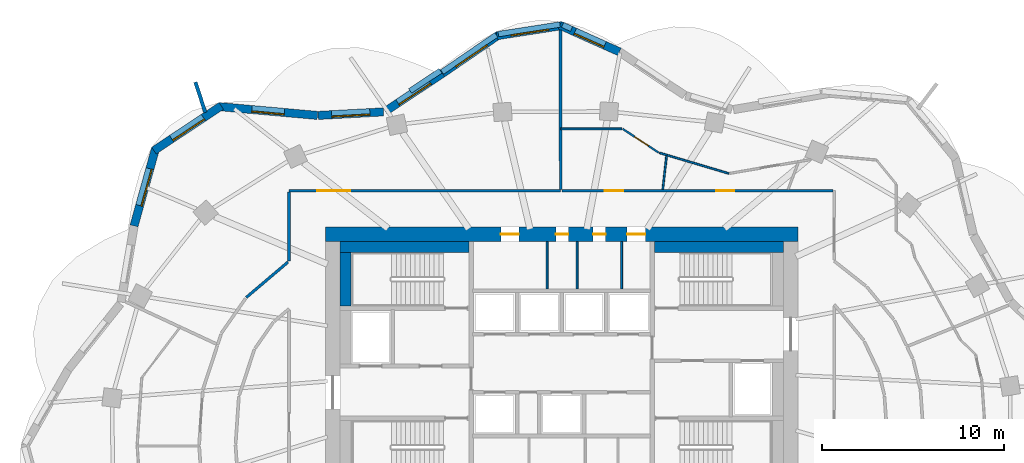
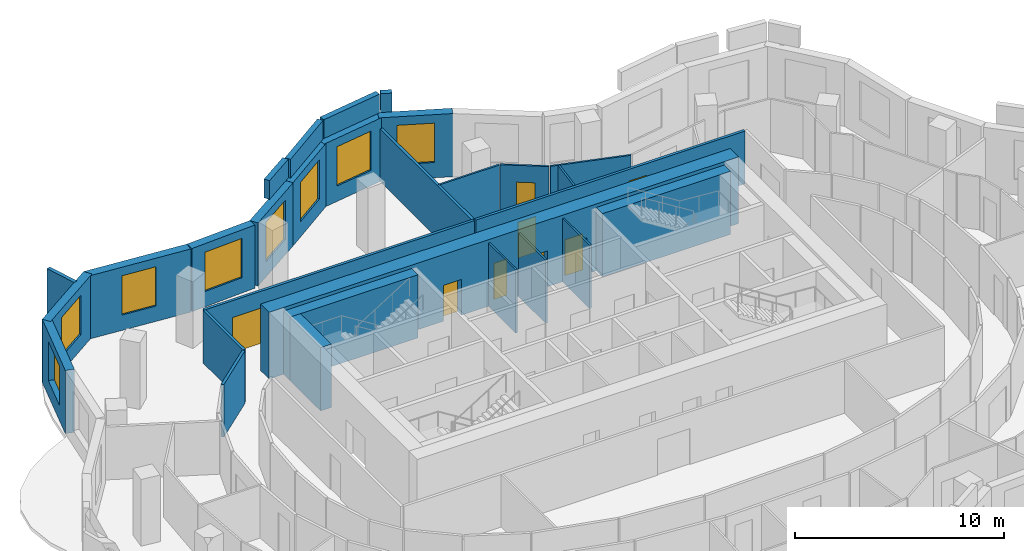
# One storey, part 8 of 11: 29 walls, 8 doors, 8 windows, 16 openings.
"""IFC4 building model written with IfcOpenShell, lengths in metres."""

from ifc_helpers import new_model, si_unit, direction, frame, frame_2d, origin, place, context, subcontext, project, spatial, rectangle, extrude, material, layer, layer_set, type_object, element, fill, save


model = new_model("IFC4")

# Units and contexts
model_context = context("Model", 3, precision=1e-05, world=origin(), true_north=direction((0.0, 1.0)))
body_context = subcontext(model_context, "Body", "Model", "MODEL_VIEW")
ifc_project = project(units=[si_unit("LENGTHUNIT", "METRE"), si_unit("AREAUNIT", "SQUARE_METRE"), si_unit("VOLUMEUNIT", "CUBIC_METRE"), si_unit("PLANEANGLEUNIT", "RADIAN"), si_unit("MASSUNIT", "GRAM", prefix="KILO")], contexts=[model_context])

# Site, building, storey
site_placement = place(None, origin())
site = spatial("IfcSite", under=ifc_project, at=site_placement, CompositionType="ELEMENT")
building_placement = place(site_placement, origin())
building = spatial("IfcBuilding", under=site, at=building_placement, Name="Rubra Terraces Tower", CompositionType="ELEMENT")
storey_placement = place(building_placement, frame((0.0, 0.0, 185.699951171875)))
storey = spatial("IfcBuildingStorey", under=building, at=storey_placement, Name="L45", CompositionType="ELEMENT", Elevation=185.699951171875)

# Wall, opening, window
ifc_material_1 = material(Name="Brick masonry red-brown", Category="masonry")
ifc_layer_1 = layer(ifc_material_1, 0.449951171875)
ifc_layer_set_1 = layer_set([ifc_layer_1], Name="Brick masonry red-brown")
wall_type_1 = type_object("IfcWallType", Name="Brick facade wall 450", PredefinedType="SOLIDWALL", material=ifc_layer_set_1)
wall_1_placement = place(storey_placement, frame((3.179443359375, 21.63623046875, 0.0), z_axis=(0.0, 0.0, 1.0), x_axis=(-0.912608353595, 0.40883492139, 0.0)))
wall_1 = element("IfcWall", 1, at=wall_1_placement, inside=storey, type_object=wall_type_1, Name="Facade wall L45 bay 10", PredefinedType="SOLIDWALL", context=body_context, shape_type="SweptSolid", body=[
    extrude(rectangle(XDim=3.584716796875, YDim=0.449951171875, at=frame_2d((1.79248046875, 0.0))), origin(), (0.0, 0.0, 1.0), 3.699951171875),
])
opening_1_placement = place(wall_1_placement, frame((0.892333984375, 0.0, 0.89990234375)))
opening_1 = element("IfcOpeningElement", 2, at=opening_1_placement, cuts=wall_1, Name="Opening W6B", PredefinedType="OPENING", context=body_context, shape_type="SweptSolid", body=[
    extrude(rectangle(XDim=1.800048828125, YDim=2.300048828125, at=frame_2d((0.89990234375, 1.14990234375))), frame((0.0, 0.23486328125, 0.0), z_axis=(0.0, -1.0, 0.0), x_axis=(1.0, 0.0, 0.0)), (0.0, 0.0, 1.0), 0.469970703125),
])
ifc_material_2 = material(Name="Clear glass in aluminium frame", Category="aluminium")
window_type_1 = type_object("IfcWindowType", Name="Fixed deep-set window at wind fin tall storey 1800 x 2300", PartitioningType="SINGLE_PANEL", PredefinedType="WINDOW", material=ifc_material_2)
window_1_placement = place(opening_1_placement, origin())
window_1 = element("IfcWindow", 3, at=window_1_placement, inside=storey, type_object=window_type_1, Name="Window L45 bay 10", OverallHeight=2.300048828125, OverallWidth=1.800048828125, PartitioningType="SINGLE_PANEL", PredefinedType="WINDOW", context=body_context, shape_type="SweptSolid", body=[
    extrude(rectangle(XDim=1.800048828125, YDim=2.300048828125, at=frame_2d((0.89990234375, 1.14990234375))), frame((0.0, 0.135009765625, 0.0), z_axis=(0.0, -1.0, 0.0), x_axis=(1.0, 0.0, 0.0)), (0.0, 0.0, 1.0), 0.06005859375),
])
fill(opening_1, window_1)

wall_2_placement = place(storey_placement, frame((0.03466796875, 23.084716796875, 0.0), z_axis=(0.0, 0.0, 1.0), x_axis=(-0.988133637562, -0.153596596054, 0.0)))
wall_2 = element("IfcWall", 4, at=wall_2_placement, inside=storey, type_object=wall_type_1, Name="Facade wall L45 bay 11", PredefinedType="SOLIDWALL", context=body_context, shape_type="SweptSolid", body=[
    extrude(rectangle(XDim=3.646240234375, YDim=0.449951171875, at=frame_2d((1.8232421875, 0.0))), origin(), (0.0, 0.0, 1.0), 3.699951171875),
])
opening_2_placement = place(wall_2_placement, frame((0.773193359375, 0.0, 0.89990234375)))
opening_2 = element("IfcOpeningElement", 5, at=opening_2_placement, cuts=wall_2, Name="Opening W1B", PredefinedType="OPENING", context=body_context, shape_type="SweptSolid", body=[
    extrude(rectangle(XDim=2.10009765625, YDim=2.300048828125, at=frame_2d((1.050048828125, 1.14990234375))), frame((0.0, 0.23486328125, 0.0), z_axis=(0.0, -1.0, 0.0), x_axis=(1.0, 0.0, 0.0)), (0.0, 0.0, 1.0), 0.469970703125),
])
window_type_2 = type_object("IfcWindowType", Name="Fixed deep-set window tall storey 2100 x 2300", PartitioningType="SINGLE_PANEL", PredefinedType="WINDOW", material=ifc_material_2)
window_2_placement = place(opening_2_placement, origin())
window_2 = element("IfcWindow", 6, at=window_2_placement, inside=storey, type_object=window_type_2, Name="Window L45 bay 11", OverallHeight=2.300048828125, OverallWidth=2.10009765625, PartitioningType="SINGLE_PANEL", PredefinedType="WINDOW", context=body_context, shape_type="SweptSolid", body=[
    extrude(rectangle(XDim=2.10009765625, YDim=2.300048828125, at=frame_2d((1.050048828125, 1.14990234375))), frame((0.0, 0.135009765625, 0.0), z_axis=(0.0, -1.0, 0.0), x_axis=(1.0, 0.0, 0.0)), (0.0, 0.0, 1.0), 0.06005859375),
])
fill(opening_2, window_2)

wall_3_placement = place(storey_placement, frame((-3.478515625, 22.559814453125, 0.0), z_axis=(0.0, 0.0, 1.0), x_axis=(-0.824722766417, -0.565537230033, 0.0)))
wall_3 = element("IfcWall", 7, at=wall_3_placement, inside=storey, type_object=wall_type_1, Name="Facade wall L45 bay 12", PredefinedType="SOLIDWALL", context=body_context, shape_type="SweptSolid", body=[
    extrude(rectangle(XDim=3.742431640625, YDim=0.449951171875, at=frame_2d((1.87109375, 0.0))), origin(), (0.0, 0.0, 1.0), 3.699951171875),
])
opening_3_placement = place(wall_3_placement, frame((0.8212890625, 0.0, 0.89990234375)))
opening_3 = element("IfcOpeningElement", 8, at=opening_3_placement, cuts=wall_3, Name="Opening W1B", PredefinedType="OPENING", context=body_context, shape_type="SweptSolid", body=[
    extrude(rectangle(XDim=2.10009765625, YDim=2.300048828125, at=frame_2d((1.050048828125, 1.14990234375))), frame((0.0, 0.23486328125, 0.0), z_axis=(0.0, -1.0, 0.0), x_axis=(1.0, 0.0, 0.0)), (0.0, 0.0, 1.0), 0.469970703125),
])
window_3_placement = place(opening_3_placement, origin())
window_3 = element("IfcWindow", 9, at=window_3_placement, inside=storey, type_object=window_type_2, Name="Window L45 bay 12", OverallHeight=2.300048828125, OverallWidth=2.10009765625, PartitioningType="SINGLE_PANEL", PredefinedType="WINDOW", context=body_context, shape_type="SweptSolid", body=[
    extrude(rectangle(XDim=2.10009765625, YDim=2.300048828125, at=frame_2d((1.050048828125, 1.14990234375))), frame((0.0, 0.135009765625, 0.0), z_axis=(0.0, -1.0, 0.0), x_axis=(1.0, 0.0, 0.0)), (0.0, 0.0, 1.0), 0.06005859375),
])
fill(opening_3, window_3)

wall_4_placement = place(storey_placement, frame((-6.568115234375, 20.44140625, 0.0), z_axis=(0.0, 0.0, 1.0), x_axis=(-0.834034214531, -0.551712723246, 0.0)))
wall_4 = element("IfcWall", 10, at=wall_4_placement, inside=storey, type_object=wall_type_1, Name="Facade wall L45 bay 13", PredefinedType="SOLIDWALL", context=body_context, shape_type="SweptSolid", body=[
    extrude(rectangle(XDim=3.75732421875, YDim=0.449951171875, at=frame_2d((1.878662109375, 0.0))), origin(), (0.0, 0.0, 1.0), 3.699951171875),
])
opening_4_placement = place(wall_4_placement, frame((0.82861328125, 0.0, 0.89990234375)))
opening_4 = element("IfcOpeningElement", 11, at=opening_4_placement, cuts=wall_4, Name="Opening W1B", PredefinedType="OPENING", context=body_context, shape_type="SweptSolid", body=[
    extrude(rectangle(XDim=2.10009765625, YDim=2.300048828125, at=frame_2d((1.050048828125, 1.14990234375))), frame((0.0, 0.23486328125, 0.0), z_axis=(0.0, -1.0, 0.0), x_axis=(1.0, 0.0, 0.0)), (0.0, 0.0, 1.0), 0.469970703125),
])
window_4_placement = place(opening_4_placement, origin())
window_4 = element("IfcWindow", 12, at=window_4_placement, inside=storey, type_object=window_type_2, Name="Window L45 bay 13", OverallHeight=2.300048828125, OverallWidth=2.10009765625, PartitioningType="SINGLE_PANEL", PredefinedType="WINDOW", context=body_context, shape_type="SweptSolid", body=[
    extrude(rectangle(XDim=2.10009765625, YDim=2.300048828125, at=frame_2d((1.050048828125, 1.14990234375))), frame((0.0, 0.135009765625, 0.0), z_axis=(0.0, -1.0, 0.0), x_axis=(1.0, 0.0, 0.0)), (0.0, 0.0, 1.0), 0.06005859375),
])
fill(opening_4, window_4)

wall_5_placement = place(storey_placement, frame((-9.80322265625, 18.333740234375, 0.0), z_axis=(0.0, 0.0, 1.0), x_axis=(-0.998525941495, -0.054276552602, 0.0)))
wall_5 = element("IfcWall", 13, at=wall_5_placement, inside=storey, type_object=wall_type_1, Name="Facade wall L45 bay 14", PredefinedType="SOLIDWALL", context=body_context, shape_type="SweptSolid", body=[
    extrude(rectangle(XDim=3.60302734375, YDim=0.449951171875, at=frame_2d((1.801513671875, 0.0))), origin(), (0.0, 0.0, 1.0), 3.699951171875),
])
opening_5_placement = place(wall_5_placement, frame((0.75146484375, 0.0, 0.89990234375)))
opening_5 = element("IfcOpeningElement", 14, at=opening_5_placement, cuts=wall_5, Name="Opening W1B", PredefinedType="OPENING", context=body_context, shape_type="SweptSolid", body=[
    extrude(rectangle(XDim=2.10009765625, YDim=2.300048828125, at=frame_2d((1.050048828125, 1.14990234375))), frame((0.0, 0.23486328125, 0.0), z_axis=(0.0, -1.0, 0.0), x_axis=(1.0, 0.0, 0.0)), (0.0, 0.0, 1.0), 0.469970703125),
])
window_5_placement = place(opening_5_placement, origin())
window_5 = element("IfcWindow", 15, at=window_5_placement, inside=storey, type_object=window_type_2, Name="Window L45 bay 14", OverallHeight=2.300048828125, OverallWidth=2.10009765625, PartitioningType="SINGLE_PANEL", PredefinedType="WINDOW", context=body_context, shape_type="SweptSolid", body=[
    extrude(rectangle(XDim=2.10009765625, YDim=2.300048828125, at=frame_2d((1.050048828125, 1.14990234375))), frame((0.0, 0.135009765625, 0.0), z_axis=(0.0, -1.0, 0.0), x_axis=(1.0, 0.0, 0.0)), (0.0, 0.0, 1.0), 0.06005859375),
])
fill(opening_5, window_5)

wall_6_placement = place(storey_placement, frame((-13.435791015625, 18.1376953125, 0.0), z_axis=(0.0, 0.0, 1.0), x_axis=(-0.99598810213, 0.089485755376, 0.0)))
wall_6 = element("IfcWall", 16, at=wall_6_placement, inside=storey, type_object=wall_type_1, Name="Facade wall L45 bay 15", PredefinedType="SOLIDWALL", context=body_context, shape_type="SweptSolid", body=[
    extrude(rectangle(XDim=5.451171875, YDim=0.449951171875, at=frame_2d((2.7255859375, 0.0))), origin(), (0.0, 0.0, 1.0), 3.699951171875),
])
opening_6_placement = place(wall_6_placement, frame((1.825439453125, 0.0, 0.89990234375)))
opening_6 = element("IfcOpeningElement", 17, at=opening_6_placement, cuts=wall_6, Name="Opening W6B", PredefinedType="OPENING", context=body_context, shape_type="SweptSolid", body=[
    extrude(rectangle(XDim=1.800048828125, YDim=2.300048828125, at=frame_2d((0.89990234375, 1.14990234375))), frame((0.0, 0.23486328125, 0.0), z_axis=(0.0, -1.0, 0.0), x_axis=(1.0, 0.0, 0.0)), (0.0, 0.0, 1.0), 0.469970703125),
])
window_6_placement = place(opening_6_placement, origin())
window_6 = element("IfcWindow", 18, at=window_6_placement, inside=storey, type_object=window_type_1, Name="Window L45 bay 15", OverallHeight=2.300048828125, OverallWidth=1.800048828125, PartitioningType="SINGLE_PANEL", PredefinedType="WINDOW", context=body_context, shape_type="SweptSolid", body=[
    extrude(rectangle(XDim=1.800048828125, YDim=2.300048828125, at=frame_2d((0.89990234375, 1.14990234375))), frame((0.0, 0.135009765625, 0.0), z_axis=(0.0, -1.0, 0.0), x_axis=(1.0, 0.0, 0.0)), (0.0, 0.0, 1.0), 0.06005859375),
])
fill(opening_6, window_6)

wall_7_placement = place(storey_placement, frame((-18.7255859375, 18.66259765625, 0.0), z_axis=(0.0, 0.0, 1.0), x_axis=(-0.83333921474, -0.552761931736, 0.0)))
wall_7 = element("IfcWall", 19, at=wall_7_placement, inside=storey, type_object=wall_type_1, Name="Facade wall L45 bay 16", PredefinedType="SOLIDWALL", context=body_context, shape_type="SweptSolid", body=[
    extrude(rectangle(XDim=4.45068359375, YDim=0.449951171875, at=frame_2d((2.225341796875, 0.0))), origin(), (0.0, 0.0, 1.0), 3.699951171875),
])
opening_7_placement = place(wall_7_placement, frame((1.17529296875, 0.0, 0.89990234375)))
opening_7 = element("IfcOpeningElement", 20, at=opening_7_placement, cuts=wall_7, Name="Opening W1B", PredefinedType="OPENING", context=body_context, shape_type="SweptSolid", body=[
    extrude(rectangle(XDim=2.10009765625, YDim=2.300048828125, at=frame_2d((1.050048828125, 1.14990234375))), frame((0.0, 0.23486328125, 0.0), z_axis=(0.0, -1.0, 0.0), x_axis=(1.0, 0.0, 0.0)), (0.0, 0.0, 1.0), 0.469970703125),
])
window_7_placement = place(opening_7_placement, origin())
window_7 = element("IfcWindow", 21, at=window_7_placement, inside=storey, type_object=window_type_2, Name="Window L45 bay 16", OverallHeight=2.300048828125, OverallWidth=2.10009765625, PartitioningType="SINGLE_PANEL", PredefinedType="WINDOW", context=body_context, shape_type="SweptSolid", body=[
    extrude(rectangle(XDim=2.10009765625, YDim=2.300048828125, at=frame_2d((1.050048828125, 1.14990234375))), frame((0.0, 0.135009765625, 0.0), z_axis=(0.0, -1.0, 0.0), x_axis=(1.0, 0.0, 0.0)), (0.0, 0.0, 1.0), 0.06005859375),
])
fill(opening_7, window_7)

wall_8_placement = place(storey_placement, frame((-22.343505859375, 16.32568359375, 0.0), z_axis=(0.0, 0.0, 1.0), x_axis=(-0.267925456304, -0.963439645159, 0.0)))
wall_8 = element("IfcWall", 22, at=wall_8_placement, inside=storey, type_object=wall_type_1, Name="Facade wall L45 bay 17", PredefinedType="SOLIDWALL", context=body_context, shape_type="SweptSolid", body=[
    extrude(rectangle(XDim=4.4267578125, YDim=0.449951171875, at=frame_2d((2.21337890625, 0.0))), origin(), (0.0, 0.0, 1.0), 3.699951171875),
])
opening_8_placement = place(wall_8_placement, frame((1.16357421875, 0.0, 0.89990234375)))
opening_8 = element("IfcOpeningElement", 23, at=opening_8_placement, cuts=wall_8, Name="Opening W1B", PredefinedType="OPENING", context=body_context, shape_type="SweptSolid", body=[
    extrude(rectangle(XDim=2.10009765625, YDim=2.300048828125, at=frame_2d((1.050048828125, 1.14990234375))), frame((0.0, 0.23486328125, 0.0), z_axis=(0.0, -1.0, 0.0), x_axis=(1.0, 0.0, 0.0)), (0.0, 0.0, 1.0), 0.469970703125),
])
window_8_placement = place(opening_8_placement, origin())
window_8 = element("IfcWindow", 24, at=window_8_placement, inside=storey, type_object=window_type_2, Name="Window L45 bay 17", OverallHeight=2.300048828125, OverallWidth=2.10009765625, PartitioningType="SINGLE_PANEL", PredefinedType="WINDOW", context=body_context, shape_type="SweptSolid", body=[
    extrude(rectangle(XDim=2.10009765625, YDim=2.300048828125, at=frame_2d((1.050048828125, 1.14990234375))), frame((0.0, 0.135009765625, 0.0), z_axis=(0.0, -1.0, 0.0), x_axis=(1.0, 0.0, 0.0)), (0.0, 0.0, 1.0), 0.06005859375),
])
fill(opening_8, window_8)

# Walls
ifc_layer_2 = layer(ifc_material_1, 0.300048828125)
ifc_layer_set_2 = layer_set([ifc_layer_2], Name="Brick masonry red-brown")
wall_type_2 = type_object("IfcWallType", Name="Brick parapet 300", PredefinedType="PARAPET", material=ifc_layer_set_2)
wall_9_placement = place(storey_placement, frame((0.54541015625, 22.898193359375, 3.900146484375), z_axis=(0.0, 0.0, 1.0), x_axis=(-0.912497815069, 0.409081578044, 0.0)))
element("IfcWall", 25, at=wall_9_placement, inside=storey, type_object=wall_type_2, Name="Parapet L45 bay 10", PredefinedType="PARAPET", context=body_context, shape_type="SweptSolid", body=[
    extrude(rectangle(XDim=0.546142578125, YDim=0.300048828125, at=frame_2d((0.27294921875, 0.0))), origin(), (0.0, 0.0, 1.0), 1.099853515625),
])
wall_10_placement = place(storey_placement, frame((-0.09423828125, 23.140380859375, 3.900146484375), z_axis=(0.0, 0.0, 1.0), x_axis=(-0.988150084887, -0.153490748056, 0.0)))
element("IfcWall", 26, at=wall_10_placement, inside=storey, type_object=wall_type_2, Name="Parapet L45 bay 11", PredefinedType="PARAPET", context=body_context, shape_type="SweptSolid", body=[
    extrude(rectangle(XDim=3.42919921875, YDim=0.300048828125, at=frame_2d((1.714599609375, 0.0))), origin(), (0.0, 0.0, 1.0), 1.099853515625),
])
wall_11_placement = place(storey_placement, frame((-3.59912109375, 22.56787109375, 3.900146484375), z_axis=(0.0, 0.0, 1.0), x_axis=(-0.82476034254, -0.565482428881, 0.0)))
element("IfcWall", 27, at=wall_11_placement, inside=storey, type_object=wall_type_2, Name="Parapet L45 bay 12", PredefinedType="PARAPET", context=body_context, shape_type="SweptSolid", body=[
    extrude(rectangle(XDim=3.61572265625, YDim=0.300048828125, at=frame_2d((1.807861328125, 0.0))), origin(), (0.0, 0.0, 1.0), 1.099853515625),
])
wall_12_placement = place(storey_placement, frame((-6.665283203125, 20.593017578125, 3.900146484375), z_axis=(0.0, 0.0, 1.0), x_axis=(-0.834027642059, -0.551722658843, 0.0)))
element("IfcWall", 28, at=wall_12_placement, inside=storey, type_object=wall_type_2, Name="Parapet L45 bay 13", PredefinedType="PARAPET", context=body_context, shape_type="SweptSolid", body=[
    extrude(rectangle(XDim=2.008056640625, YDim=0.300048828125, at=frame_2d((1.00390625, 0.0))), origin(), (0.0, 0.0, 1.0), 1.099853515625),
])
ifc_layer_3 = layer(ifc_material_1, 0.199951171875)
ifc_layer_set_3 = layer_set([ifc_layer_3], Name="Brick masonry red-brown")
wall_type_3 = type_object("IfcWallType", Name="Brick wind fin 200", PredefinedType="SOLIDWALL", material=ifc_layer_set_3)
wall_13_placement = place(storey_placement, frame((-19.60888671875, 18.304931640625, 0.0), z_axis=(0.0, 0.0, 1.0), x_axis=(-0.308600224758, 0.951191832008, 0.0)))
element("IfcWall", 29, at=wall_13_placement, inside=storey, type_object=wall_type_3, Name="Wind fin L45 10", PredefinedType="SOLIDWALL", context=body_context, shape_type="SweptSolid", body=[
    extrude(rectangle(XDim=1.75, YDim=0.199951171875, at=frame_2d((0.875, 0.0))), origin(), (0.0, 0.0, 1.0), 3.699951171875),
])

# Wall, openings, doors
ifc_material_3 = material(Name="Concrete C50", Category="concrete")
ifc_layer_4 = layer(ifc_material_3, 0.800048828125)
ifc_layer_set_4 = layer_set([ifc_layer_4], Name="Concrete C50")
wall_type_4 = type_object("IfcWallType", Name="CORE WALL 800 C50", PredefinedType="SHEAR", material=ifc_layer_set_4)
wall_14_placement = place(storey_placement, frame((-13.0, 11.60009765625, 0.0), z_axis=(0.0, 0.0, 1.0), x_axis=(1.0, 0.0, 0.0)))
wall_14 = element("IfcWall", 30, at=wall_14_placement, inside=storey, type_object=wall_type_4, Name="CORE WALL N L45", PredefinedType="SHEAR", context=body_context, shape_type="SweptSolid", body=[
    extrude(rectangle(XDim=26.0, YDim=0.800048828125, at=frame_2d((13.0, 0.0))), origin(), (0.0, 0.0, 1.0), 3.900146484375),
])
opening_9_placement = place(wall_14_placement, frame((9.64990234375, 0.0, 0.0)))
opening_9 = element("IfcOpeningElement", 31, at=opening_9_placement, cuts=wall_14, Name="Opening L45.C25", PredefinedType="OPENING", context=body_context, shape_type="SweptSolid", body=[
    extrude(rectangle(XDim=1.0, YDim=2.10009765625, at=frame_2d((0.5, 1.050048828125))), frame((0.0, 0.409912109375, 0.0), z_axis=(0.0, -1.0, 0.0), x_axis=(1.0, 0.0, 0.0)), (0.0, 0.0, 1.0), 0.820068359375),
])
opening_10_placement = place(wall_14_placement, frame((12.675048828125, 0.0, 0.0)))
opening_10 = element("IfcOpeningElement", 32, at=opening_10_placement, cuts=wall_14, Name="Opening L45.C26", PredefinedType="OPENING", context=body_context, shape_type="SweptSolid", body=[
    extrude(rectangle(XDim=0.699951171875, YDim=2.10009765625, at=frame_2d((0.35009765625, 1.050048828125))), frame((0.0, 0.409912109375, 0.0), z_axis=(0.0, -1.0, 0.0), x_axis=(1.0, 0.0, 0.0)), (0.0, 0.0, 1.0), 0.820068359375),
])
opening_11_placement = place(wall_14_placement, frame((14.72509765625, 0.0, 0.0)))
opening_11 = element("IfcOpeningElement", 33, at=opening_11_placement, cuts=wall_14, Name="Opening L45.C27", PredefinedType="OPENING", context=body_context, shape_type="SweptSolid", body=[
    extrude(rectangle(XDim=0.699951171875, YDim=2.10009765625, at=frame_2d((0.35009765625, 1.050048828125))), frame((0.0, 0.409912109375, 0.0), z_axis=(0.0, -1.0, 0.0), x_axis=(1.0, 0.0, 0.0)), (0.0, 0.0, 1.0), 0.820068359375),
])
opening_12_placement = place(wall_14_placement, frame((16.60009765625, 0.0, 0.0)))
opening_12 = element("IfcOpeningElement", 34, at=opening_12_placement, cuts=wall_14, Name="Opening L45.C28", PredefinedType="OPENING", context=body_context, shape_type="SweptSolid", body=[
    extrude(rectangle(XDim=1.0, YDim=2.10009765625, at=frame_2d((0.5, 1.050048828125))), frame((0.0, 0.409912109375, 0.0), z_axis=(0.0, -1.0, 0.0), x_axis=(1.0, 0.0, 0.0)), (0.0, 0.0, 1.0), 0.820068359375),
])
ifc_material_4 = material(Name="Painted steel", Category="steel")
door_type_1 = type_object("IfcDoorType", Name="Fire door 1000x2100 single", OperationType="NOTDEFINED", PredefinedType="DOOR", material=ifc_material_4)
door_1_placement = place(opening_9_placement, origin())
door_1 = element("IfcDoor", 35, at=door_1_placement, inside=storey, type_object=door_type_1, Name="Tea point door", OperationType="SINGLE_SWING_LEFT", OverallHeight=2.10009765625, OverallWidth=1.0, PredefinedType="DOOR", context=body_context, shape_type="SweptSolid", body=[
    extrude(rectangle(XDim=1.0, YDim=2.10009765625, at=frame_2d((0.5, 1.050048828125))), frame((0.0, 0.02490234375, 0.0), z_axis=(0.0, -1.0, 0.0), x_axis=(1.0, 0.0, 0.0)), (0.0, 0.0, 1.0), 0.050048828125),
])
fill(opening_9, door_1)
door_2_placement = place(opening_12_placement, origin())
door_2 = element("IfcDoor", 36, at=door_2_placement, inside=storey, type_object=door_type_1, Name="General store door", OperationType="SINGLE_SWING_RIGHT", OverallHeight=2.10009765625, OverallWidth=1.0, PredefinedType="DOOR", context=body_context, shape_type="SweptSolid", body=[
    extrude(rectangle(XDim=1.0, YDim=2.10009765625, at=frame_2d((0.5, 1.050048828125))), frame((0.0, 0.02490234375, 0.0), z_axis=(0.0, -1.0, 0.0), x_axis=(1.0, 0.0, 0.0)), (0.0, 0.0, 1.0), 0.050048828125),
])
fill(opening_12, door_2)
door_type_2 = type_object("IfcDoorType", Name="Riser access door 700x2100 single", OperationType="NOTDEFINED", PredefinedType="DOOR", material=ifc_material_4)
door_3_placement = place(opening_10_placement, origin())
door_3 = element("IfcDoor", 37, at=door_3_placement, inside=storey, type_object=door_type_2, Name="Electrical riser room door", OperationType="SINGLE_SWING_RIGHT", OverallHeight=2.10009765625, OverallWidth=0.699951171875, PredefinedType="DOOR", context=body_context, shape_type="SweptSolid", body=[
    extrude(rectangle(XDim=0.699951171875, YDim=2.10009765625, at=frame_2d((0.35009765625, 1.050048828125))), frame((0.0, 0.02490234375, 0.0), z_axis=(0.0, -1.0, 0.0), x_axis=(1.0, 0.0, 0.0)), (0.0, 0.0, 1.0), 0.050048828125),
])
fill(opening_10, door_3)
door_4_placement = place(opening_11_placement, origin())
door_4 = element("IfcDoor", 38, at=door_4_placement, inside=storey, type_object=door_type_2, Name="Telecoms room door", OperationType="SINGLE_SWING_LEFT", OverallHeight=2.10009765625, OverallWidth=0.699951171875, PredefinedType="DOOR", context=body_context, shape_type="SweptSolid", body=[
    extrude(rectangle(XDim=0.699951171875, YDim=2.10009765625, at=frame_2d((0.35009765625, 1.050048828125))), frame((0.0, 0.02490234375, 0.0), z_axis=(0.0, -1.0, 0.0), x_axis=(1.0, 0.0, 0.0)), (0.0, 0.0, 1.0), 0.050048828125),
])
fill(opening_11, door_4)

# Wall, opening, door
ifc_material_5 = material(Name="Plasterboard on steel stud, mineral wool infill", Category="steel")
ifc_layer_5 = layer(ifc_material_5, 0.14990234375)
ifc_layer_set_5 = layer_set([ifc_layer_5], Name="Plasterboard on steel stud, mineral wool infill")
wall_type_5 = type_object("IfcWallType", Name="CORRIDOR PARTITION 150", PredefinedType="PARTITIONING", material=ifc_layer_set_5)
wall_15_placement = place(storey_placement, frame((-0.057373046875, 14.0, 0.0), z_axis=(0.0, 0.0, 1.0), x_axis=(-1.0, 0.0, 0.0)))
wall_15 = element("IfcWall", 39, at=wall_15_placement, inside=storey, type_object=wall_type_5, Name="PARTITION", PredefinedType="PARTITIONING", context=body_context, shape_type="SweptSolid", body=[
    extrude(rectangle(XDim=14.942626953125, YDim=0.14990234375, at=frame_2d((7.47119140625, 0.0))), origin(), (0.0, 0.0, 1.0), 3.083984375),
])
opening_13_placement = place(wall_15_placement, frame((11.58203125, 0.0, 0.0)))
opening_13 = element("IfcOpeningElement", 40, at=opening_13_placement, cuts=wall_15, Name="Opening 45-101", PredefinedType="OPENING", context=body_context, shape_type="SweptSolid", body=[
    extrude(rectangle(XDim=1.800048828125, YDim=2.10009765625, at=frame_2d((0.89990234375, 1.050048828125))), frame((0.0, 0.0849609375, 0.0), z_axis=(0.0, -1.0, 0.0), x_axis=(1.0, 0.0, 0.0)), (0.0, 0.0, 1.0), 0.169921875),
])
ifc_material_6 = material(Name="Painted timber door leaf, double", Category="wood")
door_type_3 = type_object("IfcDoorType", Name="ROOM DOUBLE DOOR 1800 X 2100", OperationType="DOUBLE_DOOR_SINGLE_SWING", PredefinedType="DOOR", material=ifc_material_6)
door_5_placement = place(opening_13_placement, origin())
door_5 = element("IfcDoor", 41, at=door_5_placement, inside=storey, type_object=door_type_3, Name="DOOR 45-101", OperationType="DOUBLE_DOOR_SINGLE_SWING", OverallHeight=2.10009765625, OverallWidth=1.800048828125, PredefinedType="DOOR", context=body_context, shape_type="SweptSolid", body=[
    extrude(rectangle(XDim=1.800048828125, YDim=2.10009765625, at=frame_2d((0.89990234375, 1.050048828125))), frame((0.0, 0.02490234375, 0.0), z_axis=(0.0, -1.0, 0.0), x_axis=(1.0, 0.0, 0.0)), (0.0, 0.0, 1.0), 0.050048828125),
])
fill(opening_13, door_5)

# Walls
wall_16_placement = place(storey_placement, frame((-15.0, 13.925048828125, 0.0), z_axis=(0.0, 0.0, 1.0), x_axis=(0.0, -1.0, 0.0)))
element("IfcWall", 42, at=wall_16_placement, inside=storey, type_object=wall_type_5, Name="PARTITION", PredefinedType="PARTITIONING", context=body_context, shape_type="SweptSolid", body=[
    extrude(rectangle(XDim=3.803466796875, YDim=0.14990234375, at=frame_2d((1.90185546875, 0.0))), origin(), (0.0, 0.0, 1.0), 3.083984375),
])
wall_17_placement = place(storey_placement, frame((-15.05712890625, 10.072998046875, 0.0), z_axis=(0.0, 0.0, 1.0), x_axis=(-0.762398905861, -0.647107339119, 0.0)))
element("IfcWall", 43, at=wall_17_placement, inside=storey, type_object=wall_type_5, Name="PARTITION", PredefinedType="PARTITIONING", context=body_context, shape_type="SweptSolid", body=[
    extrude(rectangle(XDim=3.013427734375, YDim=0.14990234375, at=frame_2d((1.5068359375, 0.0))), origin(), (0.0, 0.0, 1.0), 3.083984375),
])

# Wall, openings, doors
wall_18_placement = place(storey_placement, frame((14.925048828125, 14.0, 0.0), z_axis=(0.0, 0.0, 1.0), x_axis=(-1.0, 0.0, 0.0)))
wall_18 = element("IfcWall", 44, at=wall_18_placement, inside=storey, type_object=wall_type_5, Name="PARTITION", PredefinedType="PARTITIONING", context=body_context, shape_type="SweptSolid", body=[
    extrude(rectangle(XDim=14.907470703125, YDim=0.14990234375, at=frame_2d((7.45361328125, 0.0))), origin(), (0.0, 0.0, 1.0), 3.083984375),
])
opening_14_placement = place(wall_18_placement, frame((5.431884765625, 0.0, 0.0)))
opening_14 = element("IfcOpeningElement", 45, at=opening_14_placement, cuts=wall_18, Name="Opening 45-117", PredefinedType="OPENING", context=body_context, shape_type="SweptSolid", body=[
    extrude(rectangle(XDim=1.0, YDim=2.39990234375, at=frame_2d((0.5, 1.199951171875))), frame((0.0, 0.0849609375, 0.0), z_axis=(0.0, -1.0, 0.0), x_axis=(1.0, 0.0, 0.0)), (0.0, 0.0, 1.0), 0.169921875),
])
opening_15_placement = place(wall_18_placement, frame((11.550048828125, 0.0, 0.0)))
opening_15 = element("IfcOpeningElement", 46, at=opening_15_placement, cuts=wall_18, Name="Opening 45-123", PredefinedType="OPENING", context=body_context, shape_type="SweptSolid", body=[
    extrude(rectangle(XDim=1.0, YDim=2.10009765625, at=frame_2d((0.5, 1.050048828125))), frame((0.0, 0.0849609375, 0.0), z_axis=(0.0, -1.0, 0.0), x_axis=(1.0, 0.0, 0.0)), (0.0, 0.0, 1.0), 0.169921875),
])
ifc_material_7 = material(Name="Glazed aluminium meeting door leaf", Category="aluminium")
door_type_4 = type_object("IfcDoorType", Name="MEETING ROOM GLAZED DOOR 1000 X 2400", OperationType="SINGLE_SWING_LEFT", PredefinedType="DOOR", material=ifc_material_7)
door_6_placement = place(opening_14_placement, origin())
door_6 = element("IfcDoor", 47, at=door_6_placement, inside=storey, type_object=door_type_4, Name="DOOR 45-117", OperationType="SINGLE_SWING_RIGHT", OverallHeight=2.39990234375, OverallWidth=1.0, PredefinedType="DOOR", context=body_context, shape_type="SweptSolid", body=[
    extrude(rectangle(XDim=1.0, YDim=2.39990234375, at=frame_2d((0.5, 1.199951171875))), frame((0.0, 0.02490234375, 0.0), z_axis=(0.0, -1.0, 0.0), x_axis=(1.0, 0.0, 0.0)), (0.0, 0.0, 1.0), 0.050048828125),
])
fill(opening_14, door_6)
ifc_material_8 = material(Name="Painted timber door leaf", Category="wood")
door_type_5 = type_object("IfcDoorType", Name="ROOM DOOR 1000 X 2100", OperationType="SINGLE_SWING_LEFT", PredefinedType="DOOR", material=ifc_material_8)
door_7_placement = place(opening_15_placement, origin())
door_7 = element("IfcDoor", 48, at=door_7_placement, inside=storey, type_object=door_type_5, Name="DOOR 45-123", OperationType="SINGLE_SWING_RIGHT", OverallHeight=2.10009765625, OverallWidth=1.0, PredefinedType="DOOR", context=body_context, shape_type="SweptSolid", body=[
    extrude(rectangle(XDim=1.0, YDim=2.10009765625, at=frame_2d((0.5, 1.050048828125))), frame((0.0, 0.02490234375, 0.0), z_axis=(0.0, -1.0, 0.0), x_axis=(1.0, 0.0, 0.0)), (0.0, 0.0, 1.0), 0.050048828125),
])
fill(opening_15, door_7)

# Walls
ifc_material_9 = material(Name="Concrete C40", Category="concrete")
ifc_layer_6 = layer(ifc_material_9, 0.60009765625)
ifc_layer_set_6 = layer_set([ifc_layer_6], Name="Concrete C40")
wall_type_6 = type_object("IfcWallType", Name="Core lining wall 600 concrete", PredefinedType="SOLIDWALL", material=ifc_layer_set_6)
wall_19_placement = place(storey_placement, frame((-11.89990234375, 7.64990234375, 0.0), z_axis=(0.0, 0.0, 1.0), x_axis=(0.0, 1.0, 0.0)))
element("IfcWall", 49, at=wall_19_placement, inside=storey, type_object=wall_type_6, Name="CORE LINING WALL L45", PredefinedType="SOLIDWALL", context=body_context, shape_type="SweptSolid", body=[
    extrude(rectangle(XDim=2.9501953125, YDim=0.60009765625, at=frame_2d((1.47509765625, 0.0))), origin(), (0.0, 0.0, 1.0), 3.699951171875),
])
for number, where, z_axis, x_axis, name in (
    (50, (-12.199951171875, 10.89990234375, 0.0), (0.0, 0.0, 1.0), (1.0, 0.0, 0.0), "CORE LINING WALL L45"),
    (51, (12.199951171875, 10.89990234375, 0.0), (0.0, 0.0, 1.0), (-1.0, 0.0, 0.0), "CORE LINING WALL L45"),
):
    element("IfcWall", number, at=place(storey_placement, frame(where, z_axis=z_axis, x_axis=x_axis)), inside=storey, type_object=wall_type_6, Name=name, PredefinedType="SOLIDWALL", context=body_context, shape_type="SweptSolid", body=[
        extrude(rectangle(XDim=7.099853515625, YDim=0.60009765625, at=frame_2d((3.5498046875, 0.0))), origin(), (0.0, 0.0, 1.0), 3.699951171875),
    ])

# Wall, opening, door
ifc_material_10 = material(Name="Plasterboard on steel stud", Category="steel")
ifc_layer_7 = layer(ifc_material_10, 0.10009765625)
ifc_layer_set_7 = layer_set([ifc_layer_7], Name="Plasterboard on steel stud")
wall_type_7 = type_object("IfcWallType", Name="ROOM PARTITION 100", PredefinedType="PARTITIONING", material=ifc_layer_set_7)
wall_20_placement = place(storey_placement, frame((3.361572265625, 17.39990234375, 0.0), z_axis=(0.0, 0.0, 1.0), x_axis=(0.832987305186, -0.553292101335, 0.0)))
wall_20 = element("IfcWall", 52, at=wall_20_placement, inside=storey, type_object=wall_type_7, Name="PARTITION", PredefinedType="PARTITIONING", context=body_context, shape_type="SweptSolid", body=[
    extrude(rectangle(XDim=2.362060546875, YDim=0.10009765625, at=frame_2d((1.18115234375, 0.0))), origin(), (0.0, 0.0, 1.0), 3.083984375),
])
opening_16_placement = place(wall_20_placement, frame((0.785888671875, 0.0, 0.0)))
opening_16 = element("IfcOpeningElement", 53, at=opening_16_placement, cuts=wall_20, Name="Opening 45-118", PredefinedType="OPENING", context=body_context, shape_type="SweptSolid", body=[
    extrude(rectangle(XDim=0.89990234375, YDim=2.10009765625, at=frame_2d((0.449951171875, 1.050048828125))), frame((0.0, 0.06005859375, 0.0), z_axis=(0.0, -1.0, 0.0), x_axis=(1.0, 0.0, 0.0)), (0.0, 0.0, 1.0), 0.1201171875),
])
door_type_6 = type_object("IfcDoorType", Name="ROOM DOOR 900 X 2100", OperationType="SINGLE_SWING_LEFT", PredefinedType="DOOR", material=ifc_material_8)
door_8_placement = place(opening_16_placement, origin())
door_8 = element("IfcDoor", 54, at=door_8_placement, inside=storey, type_object=door_type_6, Name="DOOR 45-118", OperationType="SINGLE_SWING_LEFT", OverallHeight=2.10009765625, OverallWidth=0.89990234375, PredefinedType="DOOR", context=body_context, shape_type="SweptSolid", body=[
    extrude(rectangle(XDim=0.89990234375, YDim=2.10009765625, at=frame_2d((0.449951171875, 1.050048828125))), frame((0.0, 0.02490234375, 0.0), z_axis=(0.0, -1.0, 0.0), x_axis=(1.0, 0.0, 0.0)), (0.0, 0.0, 1.0), 0.050048828125),
])
fill(opening_16, door_8)

# Walls
wall_21_placement = place(storey_placement, frame((5.377197265625, 16.078857421875, 0.0), z_axis=(0.0, 0.0, 1.0), x_axis=(0.958503323659, -0.28508135424, 0.0)))
element("IfcWall", 55, at=wall_21_placement, inside=storey, type_object=wall_type_7, Name="PARTITION", PredefinedType="PARTITIONING", context=body_context, shape_type="SweptSolid", body=[
    extrude(rectangle(XDim=3.98388671875, YDim=0.10009765625, at=frame_2d((1.991943359375, 0.0))), origin(), (0.0, 0.0, 1.0), 3.083984375),
])
wall_22_placement = place(storey_placement, frame((-0.039306640625, 17.39990234375, 0.0), z_axis=(0.0, 0.0, 1.0), x_axis=(1.0, 0.0, 0.0)))
element("IfcWall", 56, at=wall_22_placement, inside=storey, type_object=wall_type_7, Name="PARTITION", PredefinedType="PARTITIONING", context=body_context, shape_type="SweptSolid", body=[
    extrude(rectangle(XDim=3.350830078125, YDim=0.10009765625, at=frame_2d((1.67529296875, 0.0))), origin(), (0.0, 0.0, 1.0), 3.083984375),
])
wall_23_placement = place(storey_placement, frame((5.563720703125, 14.074462890625, 0.0), z_axis=(0.0, 0.0, 1.0), x_axis=(0.111925263738, 0.993716627282, 0.0)))
element("IfcWall", 57, at=wall_23_placement, inside=storey, type_object=wall_type_7, Name="PARTITION", PredefinedType="PARTITIONING", context=body_context, shape_type="SweptSolid", body=[
    extrude(rectangle(XDim=1.84765625, YDim=0.10009765625, at=frame_2d((0.923828125, 0.0))), origin(), (0.0, 0.0, 1.0), 3.083984375),
])
ifc_layer_8 = layer(ifc_material_10, 0.14990234375)
ifc_layer_set_8 = layer_set([ifc_layer_8], Name="Plasterboard on steel stud")
wall_type_8 = type_object("IfcWallType", Name="ROOM PARTITION 150", PredefinedType="PARTITIONING", material=ifc_layer_set_8)
wall_24_placement = place(storey_placement, frame((-0.0625, 22.83740234375, 0.0), z_axis=(0.0, 0.0, 1.0), x_axis=(0.000585104801, -0.999999828826, 0.0)))
element("IfcWall", 58, at=wall_24_placement, inside=storey, type_object=wall_type_8, Name="PARTITION", PredefinedType="PARTITIONING", context=body_context, shape_type="SweptSolid", body=[
    extrude(rectangle(XDim=8.762451171875, YDim=0.14990234375, at=frame_2d((4.38134765625, 0.0))), origin(), (0.0, 0.0, 1.0), 3.083984375),
])
ifc_material_11 = material(Name="Blockwork", Category="masonry")
ifc_layer_9 = layer(ifc_material_11, 0.10009765625)
ifc_layer_set_9 = layer_set([ifc_layer_9], Name="Blockwork")
wall_type_9 = type_object("IfcWallType", Name="Service partition 100 blockwork", PredefinedType="PARTITIONING", material=ifc_layer_set_9)
for number, where, z_axis, x_axis, name in (
    (59, (-0.800048828125, 8.60009765625, 0.0), (0.0, 0.0, 1.0), (0.0, 1.0, 0.0), "SERVICE ROOM PARTITION L45"),
    (60, (0.85009765625, 8.60009765625, 0.0), (0.0, 0.0, 1.0), (0.0, 1.0, 0.0), "SERVICE ROOM PARTITION L45"),
    (61, (3.300048828125, 8.60009765625, 0.0), (0.0, 0.0, 1.0), (0.0, 1.0, 0.0), "SERVICE ROOM PARTITION L45"),
):
    element("IfcWall", number, at=place(storey_placement, frame(where, z_axis=z_axis, x_axis=x_axis)), inside=storey, type_object=wall_type_9, Name=name, PredefinedType="PARTITIONING", context=body_context, shape_type="SweptSolid", body=[
        extrude(rectangle(XDim=2.599853515625, YDim=0.10009765625, at=frame_2d((1.2998046875, 0.0))), origin(), (0.0, 0.0, 1.0), 3.699951171875),
    ])

save(model, "model.ifc")
